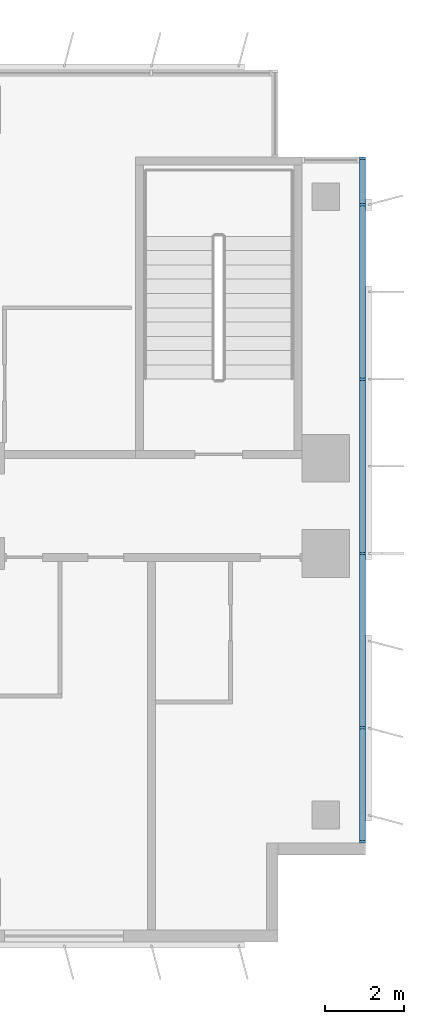
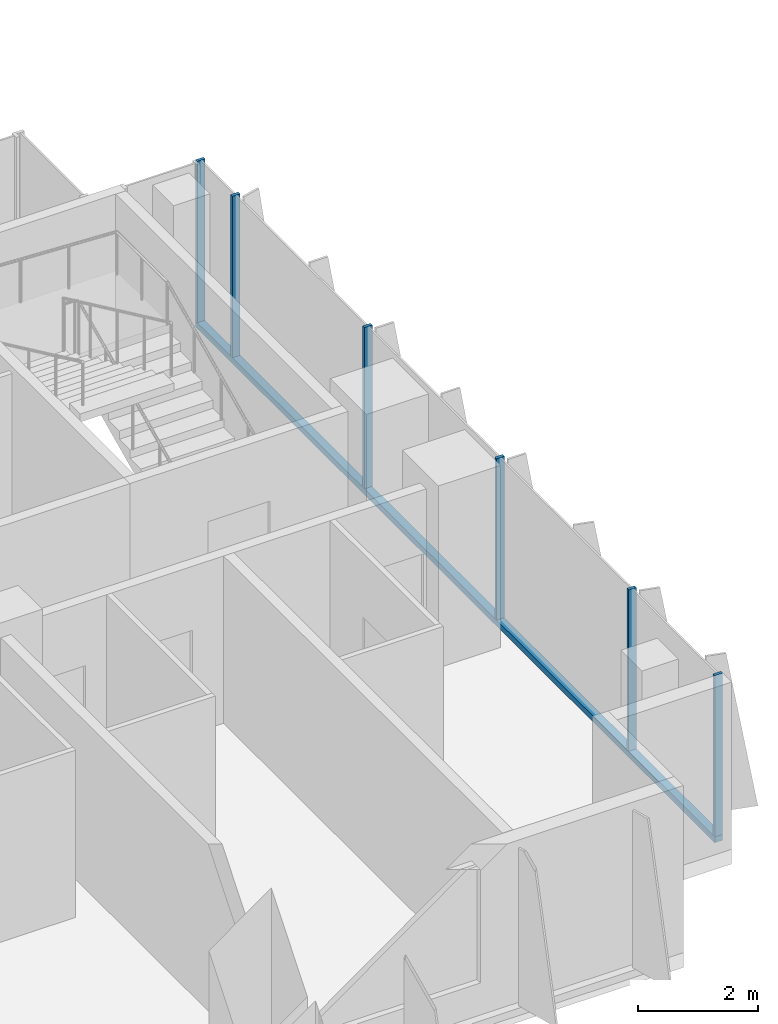
# One storey, part 8 of 23: 7 members, 1 element without a shape of its own.
"""IFC4 building model written with IfcOpenShell, lengths in metres."""

from ifc_helpers import new_model, si_unit, direction, frame, origin, origin_2d, place, context, subcontext, project, spatial, rectangle, extrude, source, transform, mapped, material, material_profile, profile_set, type_object, element, aggregate, save


model = new_model("IFC4")

# Units and contexts
model_context = context("Model", 3, precision=1e-05, world=origin(), true_north=direction((0.0, 1.0)))
body_context = subcontext(model_context, "Body", "Model", "MODEL_VIEW")
ifc_project = project(units=[si_unit("LENGTHUNIT", "METRE"), si_unit("AREAUNIT", "SQUARE_METRE"), si_unit("VOLUMEUNIT", "CUBIC_METRE"), si_unit("PLANEANGLEUNIT", "RADIAN"), si_unit("MASSUNIT", "GRAM", prefix="KILO")], contexts=[model_context])

# Site, building, storey
site_placement = place(None, origin())
site = spatial("IfcSite", under=ifc_project, at=site_placement, CompositionType="ELEMENT")
building_placement = place(site_placement, origin())
building = spatial("IfcBuilding", under=site, at=building_placement, Name="Kemantara Hotel Tower", CompositionType="ELEMENT")
storey_placement = place(building_placement, frame((0.0, 0.0, 142.0)))
storey = spatial("IfcBuildingStorey", under=building, at=storey_placement, Name="L34", CompositionType="ELEMENT", Elevation=142.0)

# Curtain wall, members
ifc_material_1 = material(Name="Low-E tinted double insulated glass 36 mm", Category="glass")
curtain_wall_type = type_object("IfcCurtainWallType", Name="TOWER CURTAIN WALL, FRONT FACES", PredefinedType="USERDEFINED", material=ifc_material_1)
curtain_wall_placement = place(storey_placement, origin())
curtain_wall = element("IfcCurtainWall", 1, at=curtain_wall_placement, inside=storey, type_object=curtain_wall_type, Name="CW4 L34 T2-R10-1", ObjectType="TOWER CURTAIN WALL, FRONT FACES", PredefinedType="USERDEFINED")
ifc_material_2 = material(Name="Aluminium 6063-T6 bronze anodised", Category="aluminium")
ifc_material_profile_1 = material_profile(ifc_material_2, rectangle(XDim=0.14990234375, YDim=0.1201171875, at=origin_2d()), Name="TOWER CURTAIN WALL, FRONT FACES TRANSOM")
ifc_profile_set_1 = profile_set([ifc_material_profile_1], Name="Aluminium 6063-T6 bronze anodised")
member_type_1 = type_object("IfcMemberType", Name="TOWER CURTAIN WALL, FRONT FACES TRANSOM", PredefinedType="USERDEFINED", material=ifc_profile_set_1)
member_1_placement = place(storey_placement, frame((63.52490234375, 2.5, 0.06005859375), z_axis=(0.0, 1.0, 0.0), x_axis=(-1.0, 0.0, 0.0)))
member_1 = element("IfcMember", 2, at=member_1_placement, type_object=member_type_1, Name="CW4 sill transom T2-R10-1", ObjectType="TRANSOM", PredefinedType="USERDEFINED", context=body_context, shape_type="SweptSolid", body=[
    extrude(rectangle(XDim=0.14990234375, YDim=0.1201171875, at=origin_2d()), origin(), (0.0, 0.0, 1.0), 17.300048828125),
])
ifc_material_profile_2 = material_profile(ifc_material_2, rectangle(XDim=0.14990234375, YDim=0.06005859375, at=origin_2d()), Name="TOWER CURTAIN WALL, FRONT FACES MULLION")
ifc_profile_set_2 = profile_set([ifc_material_profile_2], Name="Aluminium 6063-T6 bronze anodised")
member_type_2 = type_object("IfcMemberType", Name="TOWER CURTAIN WALL, FRONT FACES MULLION", PredefinedType="MULLION", material=ifc_profile_set_2)
shared_shape = source(origin(), body_context, "Body", "SweptSolid", [
    extrude(rectangle(XDim=0.14990234375, YDim=0.06005859375, at=origin_2d()), origin(), (0.0, 0.0, 1.0), 3.27978515625),
])
member_2_placement = place(storey_placement, frame((63.52490234375, 2.530029296875, 0.1201171875), z_axis=(0.0, 0.0, 1.0), x_axis=(-1.0, 0.0, 0.0)))
member_2 = element("IfcMember", 3, at=member_2_placement, type_object=member_type_2, Name="CW4 mullion T2-R10-1.1", PredefinedType="MULLION", context=body_context, shape_type="MappedRepresentation", body=[
    mapped(shared_shape, transform((0.0, 0.0, 0.0))),
])
member_3_placement = place(storey_placement, frame((63.52490234375, 5.39990234375, 0.1201171875), z_axis=(0.0, 0.0, 1.0), x_axis=(-1.0, 0.0, 0.0)))
member_3 = element("IfcMember", 4, at=member_3_placement, type_object=member_type_2, Name="CW4 mullion T2-R10-1.2", PredefinedType="MULLION", context=body_context, shape_type="MappedRepresentation", body=[
    mapped(shared_shape, transform((0.0, 0.0, 0.0))),
])
member_4_placement = place(storey_placement, frame((63.52490234375, 9.800048828125, 0.1201171875), z_axis=(0.0, 0.0, 1.0), x_axis=(-1.0, 0.0, 0.0)))
member_4 = element("IfcMember", 5, at=member_4_placement, type_object=member_type_2, Name="CW4 mullion T2-R10-1.3", PredefinedType="MULLION", context=body_context, shape_type="MappedRepresentation", body=[
    mapped(shared_shape, transform((0.0, 0.0, 0.0))),
])
member_5_placement = place(storey_placement, frame((63.52490234375, 14.199951171875, 0.1201171875), z_axis=(0.0, 0.0, 1.0), x_axis=(-1.0, 0.0, 0.0)))
member_5 = element("IfcMember", 6, at=member_5_placement, type_object=member_type_2, Name="CW4 mullion T2-R10-1.4", PredefinedType="MULLION", context=body_context, shape_type="MappedRepresentation", body=[
    mapped(shared_shape, transform((0.0, 0.0, 0.0))),
])
member_6_placement = place(storey_placement, frame((63.52490234375, 18.60009765625, 0.1201171875), z_axis=(0.0, 0.0, 1.0), x_axis=(-1.0, 0.0, 0.0)))
member_6 = element("IfcMember", 7, at=member_6_placement, type_object=member_type_2, Name="CW4 mullion T2-R10-1.5", PredefinedType="MULLION", context=body_context, shape_type="MappedRepresentation", body=[
    mapped(shared_shape, transform((0.0, 0.0, 0.0))),
])
member_7_placement = place(storey_placement, frame((63.52490234375, 19.77001953125, 0.1201171875), z_axis=(0.0, 0.0, 1.0), x_axis=(-1.0, 0.0, 0.0)))
member_7 = element("IfcMember", 8, at=member_7_placement, type_object=member_type_2, Name="CW4 mullion T2-R10-1.6", PredefinedType="MULLION", context=body_context, shape_type="MappedRepresentation", body=[
    mapped(shared_shape, transform((0.0, 0.0, 0.0))),
])
aggregate(curtain_wall, [member_1, member_2, member_3, member_4, member_5, member_6, member_7])

save(model, "model.ifc")
